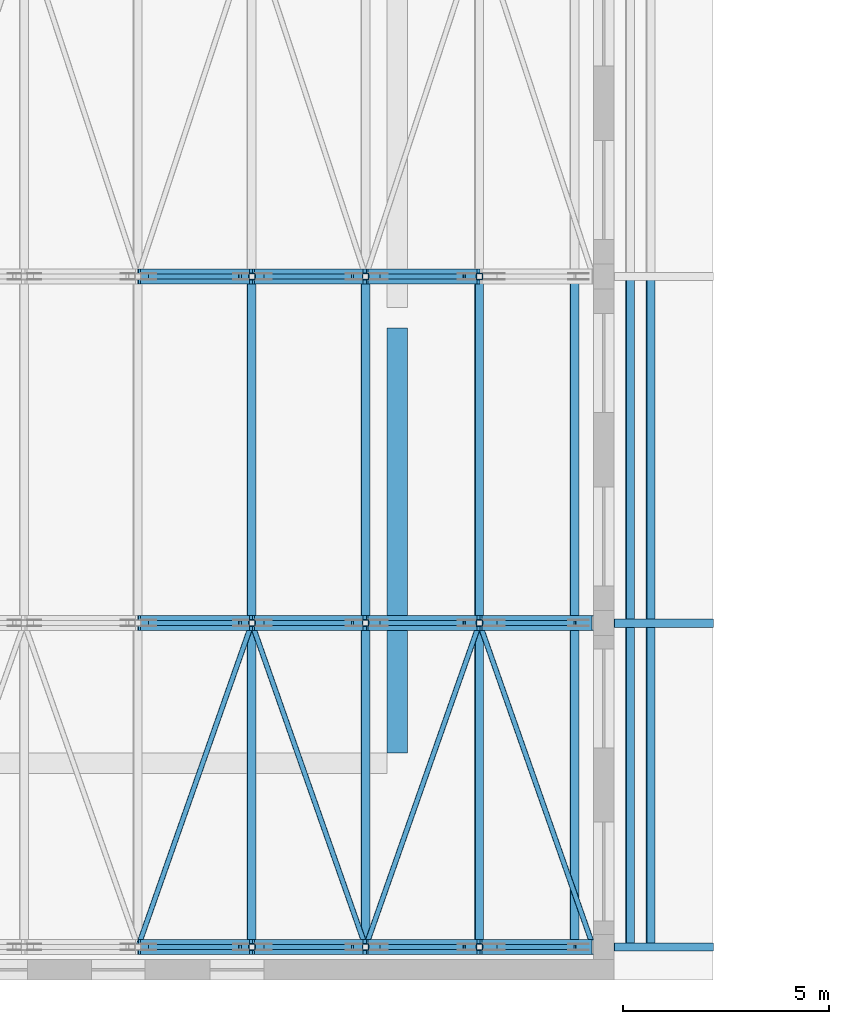
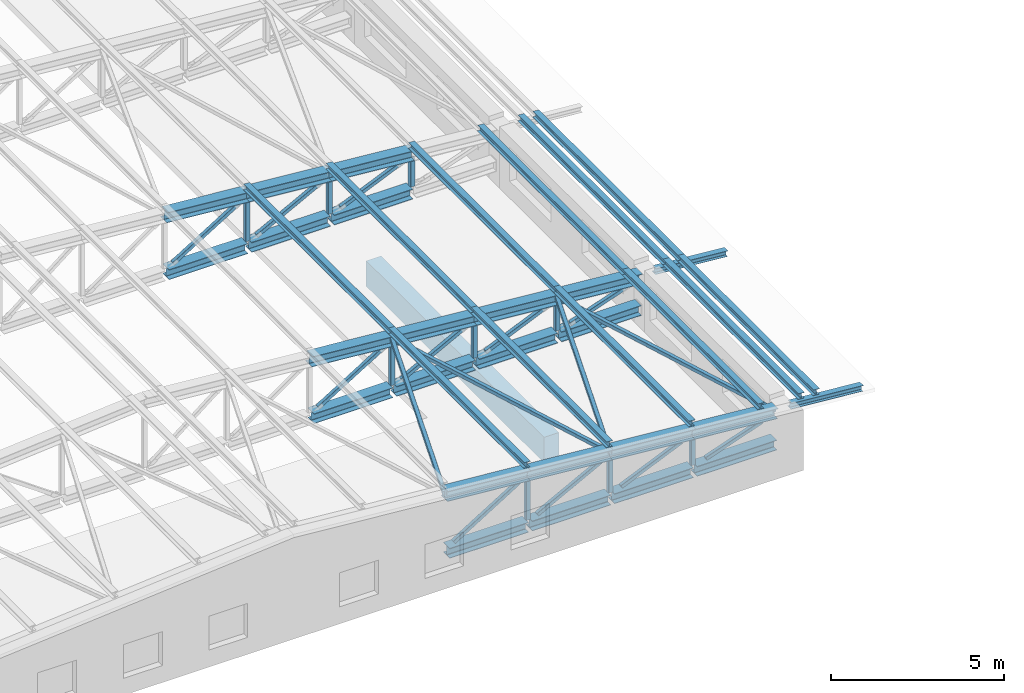
# One storey, part 14 of 60: 60 members, 1 beam.
"""IFC4 building model written with IfcOpenShell, lengths in metres."""

from ifc_helpers import new_model, si_unit, direction, frame, origin, origin_2d, place, context, subcontext, project, spatial, rectangle, hollow_rectangle, i_section, extrude, material, material_profile, profile_set, type_object, element, save


model = new_model("IFC4")

# Units and contexts
model_context = context("Model", 3, precision=1e-05, world=origin(), true_north=direction((0.0, 1.0)))
body_context = subcontext(model_context, "Body", "Model", "MODEL_VIEW")
ifc_project = project(units=[si_unit("LENGTHUNIT", "METRE"), si_unit("AREAUNIT", "SQUARE_METRE"), si_unit("VOLUMEUNIT", "CUBIC_METRE"), si_unit("PLANEANGLEUNIT", "RADIAN"), si_unit("MASSUNIT", "GRAM", prefix="KILO")], contexts=[model_context])

# Site, building, storey
site_placement = place(None, origin())
site = spatial("IfcSite", under=ifc_project, at=site_placement, CompositionType="ELEMENT")
building_placement = place(site_placement, origin())
building = spatial("IfcBuilding", under=site, at=building_placement, Name="Ljudholm Concert House", CompositionType="ELEMENT")
storey_placement = place(building_placement, frame((0.0, 0.0, 15.0)))
storey = spatial("IfcBuildingStorey", under=building, at=storey_placement, Name="L03", CompositionType="ELEMENT", Elevation=15.0)

# Beam
ifc_material_1 = material(Name="Concrete 6,500 psi", Category="concrete")
ifc_material_profile_1 = material_profile(ifc_material_1, rectangle(XDim=0.5, YDim=0.89990234375, at=origin_2d()), Name="RC BEAM 500x900")
ifc_profile_set_1 = profile_set([ifc_material_profile_1], Name="Concrete 6,500 psi")
beam_type = type_object("IfcBeamType", Name="RC BEAM 500x900", PredefinedType="BEAM", material=ifc_profile_set_1)
beam_placement = place(storey_placement, frame((41.0, 9.25, -0.699951171875), z_axis=(0.0, 1.0, 0.0), x_axis=(-1.0, 0.0, 0.0)))
element("IfcBeam", 1, at=beam_placement, inside=storey, type_object=beam_type, Name="Ring beam", PredefinedType="BEAM", context=body_context, shape_type="SweptSolid", body=[
    extrude(rectangle(XDim=0.5, YDim=0.89990234375, at=origin_2d()), origin(), (0.0, 0.0, 1.0), 10.300048828125),
])

# Members
ifc_material_2 = material(Name="Steel ASTM A500 Gr. C", Category="steel")
ifc_material_profile_2 = material_profile(ifc_material_2, hollow_rectangle(XDim=0.126953125, YDim=0.126953125, WallThickness=0.00732421875, InnerFilletRadius=0.003662109375, OuterFilletRadius=0.010986328125, at=origin_2d()), Name="HSS5X5X5/16")
ifc_profile_set_2 = profile_set([ifc_material_profile_2], Name="Steel ASTM A500 Gr. C")
member_type_1 = type_object("IfcMemberType", Name="STEEL MEMBER HSS5X5X5/16 BRACE", PredefinedType="BRACE", material=ifc_profile_set_2)
member_1_placement = place(storey_placement, frame((35.001220703125, 4.550048828125, 0.931884765625), z_axis=(0.850774291755, 0.0, 0.525531259288), x_axis=(0.0, 1.0, 0.0)))
element("IfcMember", 2, at=member_1_placement, inside=storey, type_object=member_type_1, Name="Roof truss T1 diagonal", PredefinedType="BRACE", context=body_context, shape_type="SweptSolid", body=[
    extrude(hollow_rectangle(XDim=0.126953125, YDim=0.126953125, WallThickness=0.00732421875, InnerFilletRadius=0.003662109375, OuterFilletRadius=0.010986328125, at=origin_2d()), origin(), (0.0, 0.0, 1.0), 2.5732421875),
])
member_2_placement = place(storey_placement, frame((37.794189453125, 4.550048828125, 0.93408203125), z_axis=(0.884876217226, 0.0, 0.465826233898), x_axis=(0.0, 1.0, 0.0)))
element("IfcMember", 3, at=member_2_placement, inside=storey, type_object=member_type_1, Name="Roof truss T1 diagonal", PredefinedType="BRACE", context=body_context, shape_type="SweptSolid", body=[
    extrude(hollow_rectangle(XDim=0.126953125, YDim=0.126953125, WallThickness=0.00732421875, InnerFilletRadius=0.003662109375, OuterFilletRadius=0.010986328125, at=origin_2d()), origin(), (0.0, 0.0, 1.0), 2.395751953125),
])
member_3_placement = place(storey_placement, frame((40.60205078125, 4.550048828125, 0.93603515625), z_axis=(0.916751083983, 0.0, 0.399458946597), x_axis=(0.0, 1.0, 0.0)))
element("IfcMember", 4, at=member_3_placement, inside=storey, type_object=member_type_1, Name="Roof truss T1 diagonal", PredefinedType="BRACE", context=body_context, shape_type="SweptSolid", body=[
    extrude(hollow_rectangle(XDim=0.126953125, YDim=0.126953125, WallThickness=0.00732421875, InnerFilletRadius=0.003662109375, OuterFilletRadius=0.010986328125, at=origin_2d()), origin(), (0.0, 0.0, 1.0), 2.20458984375),
])
member_4_placement = place(storey_placement, frame((43.435546875, 4.550048828125, 0.937744140625), z_axis=(0.945096021447, 0.0, 0.326792763453), x_axis=(0.0, 1.0, 0.0)))
element("IfcMember", 5, at=member_4_placement, inside=storey, type_object=member_type_1, Name="Roof truss T1 diagonal", PredefinedType="BRACE", context=body_context, shape_type="SweptSolid", body=[
    extrude(hollow_rectangle(XDim=0.126953125, YDim=0.126953125, WallThickness=0.00732421875, InnerFilletRadius=0.003662109375, OuterFilletRadius=0.010986328125, at=origin_2d()), origin(), (0.0, 0.0, 1.0), 1.97900390625),
])
member_5_placement = place(storey_placement, frame((35.001220703125, 12.39990234375, 0.931884765625), z_axis=(0.850774291755, 0.0, 0.525531259288), x_axis=(0.0, 1.0, 0.0)))
element("IfcMember", 6, at=member_5_placement, inside=storey, type_object=member_type_1, Name="Roof truss T2 diagonal", PredefinedType="BRACE", context=body_context, shape_type="SweptSolid", body=[
    extrude(hollow_rectangle(XDim=0.126953125, YDim=0.126953125, WallThickness=0.00732421875, InnerFilletRadius=0.003662109375, OuterFilletRadius=0.010986328125, at=origin_2d()), origin(), (0.0, 0.0, 1.0), 2.5732421875),
])
member_6_placement = place(storey_placement, frame((37.794189453125, 12.39990234375, 0.93408203125), z_axis=(0.884876217226, 0.0, 0.465826233898), x_axis=(0.0, 1.0, 0.0)))
element("IfcMember", 7, at=member_6_placement, inside=storey, type_object=member_type_1, Name="Roof truss T2 diagonal", PredefinedType="BRACE", context=body_context, shape_type="SweptSolid", body=[
    extrude(hollow_rectangle(XDim=0.126953125, YDim=0.126953125, WallThickness=0.00732421875, InnerFilletRadius=0.003662109375, OuterFilletRadius=0.010986328125, at=origin_2d()), origin(), (0.0, 0.0, 1.0), 2.395751953125),
])
member_7_placement = place(storey_placement, frame((40.60205078125, 12.39990234375, 0.93603515625), z_axis=(0.916751083983, 0.0, 0.399458946597), x_axis=(0.0, 1.0, 0.0)))
element("IfcMember", 8, at=member_7_placement, inside=storey, type_object=member_type_1, Name="Roof truss T2 diagonal", PredefinedType="BRACE", context=body_context, shape_type="SweptSolid", body=[
    extrude(hollow_rectangle(XDim=0.126953125, YDim=0.126953125, WallThickness=0.00732421875, InnerFilletRadius=0.003662109375, OuterFilletRadius=0.010986328125, at=origin_2d()), origin(), (0.0, 0.0, 1.0), 2.20458984375),
])
member_8_placement = place(storey_placement, frame((43.435546875, 12.39990234375, 0.937744140625), z_axis=(0.945096021447, 0.0, 0.326792763453), x_axis=(0.0, 1.0, 0.0)))
element("IfcMember", 9, at=member_8_placement, inside=storey, type_object=member_type_1, Name="Roof truss T2 diagonal", PredefinedType="BRACE", context=body_context, shape_type="SweptSolid", body=[
    extrude(hollow_rectangle(XDim=0.126953125, YDim=0.126953125, WallThickness=0.00732421875, InnerFilletRadius=0.003662109375, OuterFilletRadius=0.010986328125, at=origin_2d()), origin(), (0.0, 0.0, 1.0), 1.97900390625),
])
member_9_placement = place(storey_placement, frame((35.001220703125, 20.800048828125, 0.931884765625), z_axis=(0.850774291755, 0.0, 0.525531259288), x_axis=(0.0, 1.0, 0.0)))
element("IfcMember", 10, at=member_9_placement, inside=storey, type_object=member_type_1, Name="Roof truss T3 diagonal", PredefinedType="BRACE", context=body_context, shape_type="SweptSolid", body=[
    extrude(hollow_rectangle(XDim=0.126953125, YDim=0.126953125, WallThickness=0.00732421875, InnerFilletRadius=0.003662109375, OuterFilletRadius=0.010986328125, at=origin_2d()), origin(), (0.0, 0.0, 1.0), 2.5732421875),
])
member_10_placement = place(storey_placement, frame((37.794189453125, 20.800048828125, 0.93408203125), z_axis=(0.884876217226, 0.0, 0.465826233898), x_axis=(0.0, 1.0, 0.0)))
element("IfcMember", 11, at=member_10_placement, inside=storey, type_object=member_type_1, Name="Roof truss T3 diagonal", PredefinedType="BRACE", context=body_context, shape_type="SweptSolid", body=[
    extrude(hollow_rectangle(XDim=0.126953125, YDim=0.126953125, WallThickness=0.00732421875, InnerFilletRadius=0.003662109375, OuterFilletRadius=0.010986328125, at=origin_2d()), origin(), (0.0, 0.0, 1.0), 2.395751953125),
])
member_11_placement = place(storey_placement, frame((40.60205078125, 20.800048828125, 0.93603515625), z_axis=(0.916751083983, 0.0, 0.399458946597), x_axis=(0.0, 1.0, 0.0)))
element("IfcMember", 12, at=member_11_placement, inside=storey, type_object=member_type_1, Name="Roof truss T3 diagonal", PredefinedType="BRACE", context=body_context, shape_type="SweptSolid", body=[
    extrude(hollow_rectangle(XDim=0.126953125, YDim=0.126953125, WallThickness=0.00732421875, InnerFilletRadius=0.003662109375, OuterFilletRadius=0.010986328125, at=origin_2d()), origin(), (0.0, 0.0, 1.0), 2.20458984375),
])
member_12_placement = place(storey_placement, frame((34.716552734375, 4.5556640625, 2.7333984375), z_axis=(0.331820868413, 0.942924545801, -0.028075117285), x_axis=(-0.943296377948, 0.331951718402, 0.0)))
element("IfcMember", 13, at=member_12_placement, inside=storey, type_object=member_type_1, Name="Roof bracing", PredefinedType="BRACE", context=body_context, shape_type="SweptSolid", body=[
    extrude(hollow_rectangle(XDim=0.126953125, YDim=0.126953125, WallThickness=0.00732421875, InnerFilletRadius=0.003662109375, OuterFilletRadius=0.010986328125, at=origin_2d()), origin(), (0.0, 0.0, 1.0), 8.3134765625),
])
for number, where, z_axis, x_axis, name in (
    (14, (37.47509765625, 12.39453125, 2.5), (0.33179473424, -0.942933734023, -0.02807539086), (0.943305577044, 0.331925576474, 0.0), "Roof bracing"),
    (15, (40.2333984375, 4.5556640625, 2.2666015625), (0.331795007664, 0.942934511072, -0.028046046408), (-0.943305577044, 0.331925576474, 0.0), "Roof bracing"),
    (16, (42.99169921875, 12.39453125, 2.033447265625), (0.33179473424, -0.942933734023, -0.02807539086), (0.943305577044, 0.331925576474, 0.0), "Roof bracing"),
):
    element("IfcMember", number, at=place(storey_placement, frame(where, z_axis=z_axis, x_axis=x_axis)), inside=storey, type_object=member_type_1, Name=name, PredefinedType="BRACE", context=body_context, shape_type="SweptSolid", body=[
        extrude(hollow_rectangle(XDim=0.126953125, YDim=0.126953125, WallThickness=0.00732421875, InnerFilletRadius=0.003662109375, OuterFilletRadius=0.010986328125, at=origin_2d()), origin(), (0.0, 0.0, 1.0), 8.313232421875),
    ])
ifc_material_3 = material(Name="Steel ASTM A500 Gr. C", Category="steel")
ifc_material_profile_3 = material_profile(ifc_material_3, hollow_rectangle(XDim=0.15234375, YDim=0.15234375, WallThickness=0.0087890625, InnerFilletRadius=0.00439453125, OuterFilletRadius=0.01318359375, at=origin_2d()), Name="HSS6X6X3/8")
ifc_profile_set_3 = profile_set([ifc_material_profile_3], Name="Steel ASTM A500 Gr. C")
member_type_2 = type_object("IfcMemberType", Name="STEEL MEMBER HSS6X6X3/8 POST", PredefinedType="POST", material=ifc_profile_set_3)
member_13_placement = place(storey_placement, frame((37.47509765625, 4.550048828125, 0.877685546875), z_axis=(0.0, 0.0, 1.0), x_axis=(1.0, 0.0, 0.0)))
element("IfcMember", 17, at=member_13_placement, inside=storey, type_object=member_type_2, Name="Roof truss T1 post", PredefinedType="POST", context=body_context, shape_type="SweptSolid", body=[
    extrude(hollow_rectangle(XDim=0.15234375, YDim=0.15234375, WallThickness=0.0087890625, InnerFilletRadius=0.00439453125, OuterFilletRadius=0.01318359375, at=origin_2d()), origin(), (0.0, 0.0, 1.0), 1.44384765625),
])
member_14_placement = place(storey_placement, frame((40.2333984375, 4.550048828125, 0.877685546875), z_axis=(0.0, 0.0, 1.0), x_axis=(1.0, 0.0, 0.0)))
element("IfcMember", 18, at=member_14_placement, inside=storey, type_object=member_type_2, Name="Roof truss T1 post", PredefinedType="POST", context=body_context, shape_type="SweptSolid", body=[
    extrude(hollow_rectangle(XDim=0.15234375, YDim=0.15234375, WallThickness=0.0087890625, InnerFilletRadius=0.00439453125, OuterFilletRadius=0.01318359375, at=origin_2d()), origin(), (0.0, 0.0, 1.0), 1.21044921875),
])
member_15_placement = place(storey_placement, frame((42.99169921875, 4.550048828125, 0.877685546875), z_axis=(0.0, 0.0, 1.0), x_axis=(1.0, 0.0, 0.0)))
element("IfcMember", 19, at=member_15_placement, inside=storey, type_object=member_type_2, Name="Roof truss T1 post", PredefinedType="POST", context=body_context, shape_type="SweptSolid", body=[
    extrude(hollow_rectangle(XDim=0.15234375, YDim=0.15234375, WallThickness=0.0087890625, InnerFilletRadius=0.00439453125, OuterFilletRadius=0.01318359375, at=origin_2d()), origin(), (0.0, 0.0, 1.0), 0.977294921875),
])
member_16_placement = place(storey_placement, frame((37.47509765625, 12.39990234375, 0.877685546875), z_axis=(0.0, 0.0, 1.0), x_axis=(1.0, 0.0, 0.0)))
element("IfcMember", 20, at=member_16_placement, inside=storey, type_object=member_type_2, Name="Roof truss T2 post", PredefinedType="POST", context=body_context, shape_type="SweptSolid", body=[
    extrude(hollow_rectangle(XDim=0.15234375, YDim=0.15234375, WallThickness=0.0087890625, InnerFilletRadius=0.00439453125, OuterFilletRadius=0.01318359375, at=origin_2d()), origin(), (0.0, 0.0, 1.0), 1.44384765625),
])
member_17_placement = place(storey_placement, frame((40.2333984375, 12.39990234375, 0.877685546875), z_axis=(0.0, 0.0, 1.0), x_axis=(1.0, 0.0, 0.0)))
element("IfcMember", 21, at=member_17_placement, inside=storey, type_object=member_type_2, Name="Roof truss T2 post", PredefinedType="POST", context=body_context, shape_type="SweptSolid", body=[
    extrude(hollow_rectangle(XDim=0.15234375, YDim=0.15234375, WallThickness=0.0087890625, InnerFilletRadius=0.00439453125, OuterFilletRadius=0.01318359375, at=origin_2d()), origin(), (0.0, 0.0, 1.0), 1.21044921875),
])
member_18_placement = place(storey_placement, frame((42.99169921875, 12.39990234375, 0.877685546875), z_axis=(0.0, 0.0, 1.0), x_axis=(1.0, 0.0, 0.0)))
element("IfcMember", 22, at=member_18_placement, inside=storey, type_object=member_type_2, Name="Roof truss T2 post", PredefinedType="POST", context=body_context, shape_type="SweptSolid", body=[
    extrude(hollow_rectangle(XDim=0.15234375, YDim=0.15234375, WallThickness=0.0087890625, InnerFilletRadius=0.00439453125, OuterFilletRadius=0.01318359375, at=origin_2d()), origin(), (0.0, 0.0, 1.0), 0.977294921875),
])
member_19_placement = place(storey_placement, frame((37.47509765625, 20.800048828125, 0.877685546875), z_axis=(0.0, 0.0, 1.0), x_axis=(1.0, 0.0, 0.0)))
element("IfcMember", 23, at=member_19_placement, inside=storey, type_object=member_type_2, Name="Roof truss T3 post", PredefinedType="POST", context=body_context, shape_type="SweptSolid", body=[
    extrude(hollow_rectangle(XDim=0.15234375, YDim=0.15234375, WallThickness=0.0087890625, InnerFilletRadius=0.00439453125, OuterFilletRadius=0.01318359375, at=origin_2d()), origin(), (0.0, 0.0, 1.0), 1.44384765625),
])
member_20_placement = place(storey_placement, frame((40.2333984375, 20.800048828125, 0.877685546875), z_axis=(0.0, 0.0, 1.0), x_axis=(1.0, 0.0, 0.0)))
element("IfcMember", 24, at=member_20_placement, inside=storey, type_object=member_type_2, Name="Roof truss T3 post", PredefinedType="POST", context=body_context, shape_type="SweptSolid", body=[
    extrude(hollow_rectangle(XDim=0.15234375, YDim=0.15234375, WallThickness=0.0087890625, InnerFilletRadius=0.00439453125, OuterFilletRadius=0.01318359375, at=origin_2d()), origin(), (0.0, 0.0, 1.0), 1.21044921875),
])
member_21_placement = place(storey_placement, frame((42.99169921875, 20.800048828125, 0.877685546875), z_axis=(0.0, 0.0, 1.0), x_axis=(1.0, 0.0, 0.0)))
element("IfcMember", 25, at=member_21_placement, inside=storey, type_object=member_type_2, Name="Roof truss T3 post", PredefinedType="POST", context=body_context, shape_type="SweptSolid", body=[
    extrude(hollow_rectangle(XDim=0.15234375, YDim=0.15234375, WallThickness=0.0087890625, InnerFilletRadius=0.00439453125, OuterFilletRadius=0.01318359375, at=origin_2d()), origin(), (0.0, 0.0, 1.0), 0.977294921875),
])
ifc_material_4 = material(Name="Steel ASTM A992", Category="steel")
ifc_material_profile_4 = material_profile(ifc_material_4, i_section(OverallWidth=0.368408203125, OverallDepth=0.355712890625, WebThickness=0.01123046875, FlangeThickness=0.01806640625, FilletRadius=0.01513671875, at=origin_2d()), Name="W14X90")
ifc_profile_set_4 = profile_set([ifc_material_profile_4], Name="Steel ASTM A992")
member_type_3 = type_object("IfcMemberType", Name="STEEL MEMBER W14X90 CHORD", PredefinedType="CHORD", material=ifc_profile_set_4)
member_22_placement = place(storey_placement, frame((34.716552734375, 4.550048828125, 2.7333984375), z_axis=(0.996439740606, 0.0, -0.084308026553), x_axis=(0.0, 1.0, 0.0)))
element("IfcMember", 26, at=member_22_placement, inside=storey, type_object=member_type_3, Name="Roof truss T1 top chord", PredefinedType="CHORD", context=body_context, shape_type="SweptSolid", body=[
    extrude(i_section(OverallWidth=0.368408203125, OverallDepth=0.355712890625, WebThickness=0.01123046875, FlangeThickness=0.01806640625, FilletRadius=0.01513671875, at=origin_2d()), origin(), (0.0, 0.0, 1.0), 2.768310546875),
])
member_23_placement = place(storey_placement, frame((34.778564453125, 4.550048828125, 0.699951171875), z_axis=(1.0, 0.0, 0.0), x_axis=(0.0, 1.0, 0.0)))
element("IfcMember", 27, at=member_23_placement, inside=storey, type_object=member_type_3, Name="Roof truss T1 bottom chord", PredefinedType="CHORD", context=body_context, shape_type="SweptSolid", body=[
    extrude(i_section(OverallWidth=0.368408203125, OverallDepth=0.355712890625, WebThickness=0.01123046875, FlangeThickness=0.01806640625, FilletRadius=0.01513671875, at=origin_2d()), origin(), (0.0, 0.0, 1.0), 2.634521484375),
])
member_24_placement = place(storey_placement, frame((37.47509765625, 4.550048828125, 2.5), z_axis=(0.996439113695, 0.0, -0.084315435714), x_axis=(0.0, 1.0, 0.0)))
element("IfcMember", 28, at=member_24_placement, inside=storey, type_object=member_type_3, Name="Roof truss T1 top chord", PredefinedType="CHORD", context=body_context, shape_type="SweptSolid", body=[
    extrude(i_section(OverallWidth=0.368408203125, OverallDepth=0.355712890625, WebThickness=0.01123046875, FlangeThickness=0.01806640625, FilletRadius=0.01513671875, at=origin_2d()), origin(), (0.0, 0.0, 1.0), 2.76806640625),
])
member_25_placement = place(storey_placement, frame((37.537109375, 4.550048828125, 0.699951171875), z_axis=(1.0, 0.0, 0.0), x_axis=(0.0, 1.0, 0.0)))
element("IfcMember", 29, at=member_25_placement, inside=storey, type_object=member_type_3, Name="Roof truss T1 bottom chord", PredefinedType="CHORD", context=body_context, shape_type="SweptSolid", body=[
    extrude(i_section(OverallWidth=0.368408203125, OverallDepth=0.355712890625, WebThickness=0.01123046875, FlangeThickness=0.01806640625, FilletRadius=0.01513671875, at=origin_2d()), origin(), (0.0, 0.0, 1.0), 2.63427734375),
])
member_26_placement = place(storey_placement, frame((40.2333984375, 4.550048828125, 2.2666015625), z_axis=(0.996446519711, 0.0, -0.084227865669), x_axis=(0.0, 1.0, 0.0)))
element("IfcMember", 30, at=member_26_placement, inside=storey, type_object=member_type_3, Name="Roof truss T1 top chord", PredefinedType="CHORD", context=body_context, shape_type="SweptSolid", body=[
    extrude(i_section(OverallWidth=0.368408203125, OverallDepth=0.355712890625, WebThickness=0.01123046875, FlangeThickness=0.01806640625, FilletRadius=0.01513671875, at=origin_2d()), origin(), (0.0, 0.0, 1.0), 2.76806640625),
])
member_27_placement = place(storey_placement, frame((40.29541015625, 4.550048828125, 0.699951171875), z_axis=(1.0, 0.0, 0.0), x_axis=(0.0, 1.0, 0.0)))
element("IfcMember", 31, at=member_27_placement, inside=storey, type_object=member_type_3, Name="Roof truss T1 bottom chord", PredefinedType="CHORD", context=body_context, shape_type="SweptSolid", body=[
    extrude(i_section(OverallWidth=0.368408203125, OverallDepth=0.355712890625, WebThickness=0.01123046875, FlangeThickness=0.01806640625, FilletRadius=0.01513671875, at=origin_2d()), origin(), (0.0, 0.0, 1.0), 2.63427734375),
])
member_28_placement = place(storey_placement, frame((42.99169921875, 4.550048828125, 2.033447265625), z_axis=(0.996439113695, 0.0, -0.084315435714), x_axis=(0.0, 1.0, 0.0)))
element("IfcMember", 32, at=member_28_placement, inside=storey, type_object=member_type_3, Name="Roof truss T1 top chord", PredefinedType="CHORD", context=body_context, shape_type="SweptSolid", body=[
    extrude(i_section(OverallWidth=0.368408203125, OverallDepth=0.355712890625, WebThickness=0.01123046875, FlangeThickness=0.01806640625, FilletRadius=0.01513671875, at=origin_2d()), origin(), (0.0, 0.0, 1.0), 2.76806640625),
])
member_29_placement = place(storey_placement, frame((43.0537109375, 4.550048828125, 0.699951171875), z_axis=(1.0, 0.0, 0.0), x_axis=(0.0, 1.0, 0.0)))
element("IfcMember", 33, at=member_29_placement, inside=storey, type_object=member_type_3, Name="Roof truss T1 bottom chord", PredefinedType="CHORD", context=body_context, shape_type="SweptSolid", body=[
    extrude(i_section(OverallWidth=0.368408203125, OverallDepth=0.355712890625, WebThickness=0.01123046875, FlangeThickness=0.01806640625, FilletRadius=0.01513671875, at=origin_2d()), origin(), (0.0, 0.0, 1.0), 2.666259765625),
])
member_30_placement = place(storey_placement, frame((34.716552734375, 12.39990234375, 2.7333984375), z_axis=(0.996439740606, 0.0, -0.084308026553), x_axis=(0.0, 1.0, 0.0)))
element("IfcMember", 34, at=member_30_placement, inside=storey, type_object=member_type_3, Name="Roof truss T2 top chord", PredefinedType="CHORD", context=body_context, shape_type="SweptSolid", body=[
    extrude(i_section(OverallWidth=0.368408203125, OverallDepth=0.355712890625, WebThickness=0.01123046875, FlangeThickness=0.01806640625, FilletRadius=0.01513671875, at=origin_2d()), origin(), (0.0, 0.0, 1.0), 2.768310546875),
])
member_31_placement = place(storey_placement, frame((34.778564453125, 12.39990234375, 0.699951171875), z_axis=(1.0, 0.0, 0.0), x_axis=(0.0, 1.0, 0.0)))
element("IfcMember", 35, at=member_31_placement, inside=storey, type_object=member_type_3, Name="Roof truss T2 bottom chord", PredefinedType="CHORD", context=body_context, shape_type="SweptSolid", body=[
    extrude(i_section(OverallWidth=0.368408203125, OverallDepth=0.355712890625, WebThickness=0.01123046875, FlangeThickness=0.01806640625, FilletRadius=0.01513671875, at=origin_2d()), origin(), (0.0, 0.0, 1.0), 2.634521484375),
])
member_32_placement = place(storey_placement, frame((37.47509765625, 12.39990234375, 2.5), z_axis=(0.996439113695, 0.0, -0.084315435714), x_axis=(0.0, 1.0, 0.0)))
element("IfcMember", 36, at=member_32_placement, inside=storey, type_object=member_type_3, Name="Roof truss T2 top chord", PredefinedType="CHORD", context=body_context, shape_type="SweptSolid", body=[
    extrude(i_section(OverallWidth=0.368408203125, OverallDepth=0.355712890625, WebThickness=0.01123046875, FlangeThickness=0.01806640625, FilletRadius=0.01513671875, at=origin_2d()), origin(), (0.0, 0.0, 1.0), 2.76806640625),
])
member_33_placement = place(storey_placement, frame((37.537109375, 12.39990234375, 0.699951171875), z_axis=(1.0, 0.0, 0.0), x_axis=(0.0, 1.0, 0.0)))
element("IfcMember", 37, at=member_33_placement, inside=storey, type_object=member_type_3, Name="Roof truss T2 bottom chord", PredefinedType="CHORD", context=body_context, shape_type="SweptSolid", body=[
    extrude(i_section(OverallWidth=0.368408203125, OverallDepth=0.355712890625, WebThickness=0.01123046875, FlangeThickness=0.01806640625, FilletRadius=0.01513671875, at=origin_2d()), origin(), (0.0, 0.0, 1.0), 2.63427734375),
])
member_34_placement = place(storey_placement, frame((40.2333984375, 12.39990234375, 2.2666015625), z_axis=(0.996446519711, 0.0, -0.084227865669), x_axis=(0.0, 1.0, 0.0)))
element("IfcMember", 38, at=member_34_placement, inside=storey, type_object=member_type_3, Name="Roof truss T2 top chord", PredefinedType="CHORD", context=body_context, shape_type="SweptSolid", body=[
    extrude(i_section(OverallWidth=0.368408203125, OverallDepth=0.355712890625, WebThickness=0.01123046875, FlangeThickness=0.01806640625, FilletRadius=0.01513671875, at=origin_2d()), origin(), (0.0, 0.0, 1.0), 2.76806640625),
])
member_35_placement = place(storey_placement, frame((40.29541015625, 12.39990234375, 0.699951171875), z_axis=(1.0, 0.0, 0.0), x_axis=(0.0, 1.0, 0.0)))
element("IfcMember", 39, at=member_35_placement, inside=storey, type_object=member_type_3, Name="Roof truss T2 bottom chord", PredefinedType="CHORD", context=body_context, shape_type="SweptSolid", body=[
    extrude(i_section(OverallWidth=0.368408203125, OverallDepth=0.355712890625, WebThickness=0.01123046875, FlangeThickness=0.01806640625, FilletRadius=0.01513671875, at=origin_2d()), origin(), (0.0, 0.0, 1.0), 2.63427734375),
])
member_36_placement = place(storey_placement, frame((42.99169921875, 12.39990234375, 2.033447265625), z_axis=(0.996439113695, 0.0, -0.084315435714), x_axis=(0.0, 1.0, 0.0)))
element("IfcMember", 40, at=member_36_placement, inside=storey, type_object=member_type_3, Name="Roof truss T2 top chord", PredefinedType="CHORD", context=body_context, shape_type="SweptSolid", body=[
    extrude(i_section(OverallWidth=0.368408203125, OverallDepth=0.355712890625, WebThickness=0.01123046875, FlangeThickness=0.01806640625, FilletRadius=0.01513671875, at=origin_2d()), origin(), (0.0, 0.0, 1.0), 2.76806640625),
])
member_37_placement = place(storey_placement, frame((43.0537109375, 12.39990234375, 0.699951171875), z_axis=(1.0, 0.0, 0.0), x_axis=(0.0, 1.0, 0.0)))
element("IfcMember", 41, at=member_37_placement, inside=storey, type_object=member_type_3, Name="Roof truss T2 bottom chord", PredefinedType="CHORD", context=body_context, shape_type="SweptSolid", body=[
    extrude(i_section(OverallWidth=0.368408203125, OverallDepth=0.355712890625, WebThickness=0.01123046875, FlangeThickness=0.01806640625, FilletRadius=0.01513671875, at=origin_2d()), origin(), (0.0, 0.0, 1.0), 2.666259765625),
])
member_38_placement = place(storey_placement, frame((34.716552734375, 20.800048828125, 2.7333984375), z_axis=(0.996439740606, 0.0, -0.084308026553), x_axis=(0.0, 1.0, 0.0)))
element("IfcMember", 42, at=member_38_placement, inside=storey, type_object=member_type_3, Name="Roof truss T3 top chord", PredefinedType="CHORD", context=body_context, shape_type="SweptSolid", body=[
    extrude(i_section(OverallWidth=0.368408203125, OverallDepth=0.355712890625, WebThickness=0.01123046875, FlangeThickness=0.01806640625, FilletRadius=0.01513671875, at=origin_2d()), origin(), (0.0, 0.0, 1.0), 2.768310546875),
])
member_39_placement = place(storey_placement, frame((34.778564453125, 20.800048828125, 0.699951171875), z_axis=(1.0, 0.0, 0.0), x_axis=(0.0, 1.0, 0.0)))
element("IfcMember", 43, at=member_39_placement, inside=storey, type_object=member_type_3, Name="Roof truss T3 bottom chord", PredefinedType="CHORD", context=body_context, shape_type="SweptSolid", body=[
    extrude(i_section(OverallWidth=0.368408203125, OverallDepth=0.355712890625, WebThickness=0.01123046875, FlangeThickness=0.01806640625, FilletRadius=0.01513671875, at=origin_2d()), origin(), (0.0, 0.0, 1.0), 2.634521484375),
])
member_40_placement = place(storey_placement, frame((37.47509765625, 20.800048828125, 2.5), z_axis=(0.996439113695, 0.0, -0.084315435714), x_axis=(0.0, 1.0, 0.0)))
element("IfcMember", 44, at=member_40_placement, inside=storey, type_object=member_type_3, Name="Roof truss T3 top chord", PredefinedType="CHORD", context=body_context, shape_type="SweptSolid", body=[
    extrude(i_section(OverallWidth=0.368408203125, OverallDepth=0.355712890625, WebThickness=0.01123046875, FlangeThickness=0.01806640625, FilletRadius=0.01513671875, at=origin_2d()), origin(), (0.0, 0.0, 1.0), 2.76806640625),
])
member_41_placement = place(storey_placement, frame((37.537109375, 20.800048828125, 0.699951171875), z_axis=(1.0, 0.0, 0.0), x_axis=(0.0, 1.0, 0.0)))
element("IfcMember", 45, at=member_41_placement, inside=storey, type_object=member_type_3, Name="Roof truss T3 bottom chord", PredefinedType="CHORD", context=body_context, shape_type="SweptSolid", body=[
    extrude(i_section(OverallWidth=0.368408203125, OverallDepth=0.355712890625, WebThickness=0.01123046875, FlangeThickness=0.01806640625, FilletRadius=0.01513671875, at=origin_2d()), origin(), (0.0, 0.0, 1.0), 2.63427734375),
])
member_42_placement = place(storey_placement, frame((40.2333984375, 20.800048828125, 2.2666015625), z_axis=(0.996446519711, 0.0, -0.084227865669), x_axis=(0.0, 1.0, 0.0)))
element("IfcMember", 46, at=member_42_placement, inside=storey, type_object=member_type_3, Name="Roof truss T3 top chord", PredefinedType="CHORD", context=body_context, shape_type="SweptSolid", body=[
    extrude(i_section(OverallWidth=0.368408203125, OverallDepth=0.355712890625, WebThickness=0.01123046875, FlangeThickness=0.01806640625, FilletRadius=0.01513671875, at=origin_2d()), origin(), (0.0, 0.0, 1.0), 2.76806640625),
])
member_43_placement = place(storey_placement, frame((40.29541015625, 20.800048828125, 0.699951171875), z_axis=(1.0, 0.0, 0.0), x_axis=(0.0, 1.0, 0.0)))
element("IfcMember", 47, at=member_43_placement, inside=storey, type_object=member_type_3, Name="Roof truss T3 bottom chord", PredefinedType="CHORD", context=body_context, shape_type="SweptSolid", body=[
    extrude(i_section(OverallWidth=0.368408203125, OverallDepth=0.355712890625, WebThickness=0.01123046875, FlangeThickness=0.01806640625, FilletRadius=0.01513671875, at=origin_2d()), origin(), (0.0, 0.0, 1.0), 2.63427734375),
])
ifc_material_5 = material(Name="Steel ASTM A992", Category="steel")
ifc_material_profile_5 = material_profile(ifc_material_5, i_section(OverallWidth=0.203125, OverallDepth=0.203125, WebThickness=0.00732421875, FlangeThickness=0.010986328125, FilletRadius=0.010009765625, at=origin_2d()), Name="W8X31")
ifc_profile_set_5 = profile_set([ifc_material_profile_5], Name="Steel ASTM A992")
member_type_4 = type_object("IfcMemberType", Name="STEEL MEMBER W8X31 PURLIN", PredefinedType="PURLIN", material=ifc_profile_set_5)
for number, where, z_axis, x_axis, name in (
    (48, (45.29150390625, 4.550048828125, 2.119140625), (0.0, 1.0, 0.0), (-0.996441172925, 0.0, 0.084291096202), "Purlin"),
    (49, (42.983154296875, 4.550048828125, 2.314453125), (0.0, 1.0, 0.0), (-0.996441172925, 0.0, 0.084291096202), "Purlin"),
    (50, (40.224853515625, 4.550048828125, 2.5478515625), (0.0, 1.0, 0.0), (-0.996441172925, 0.0, 0.084291096202), "Purlin"),
    (51, (37.466552734375, 4.550048828125, 2.781005859375), (0.0, 1.0, 0.0), (-0.996441172925, 0.0, 0.084291096202), "Purlin"),
):
    element("IfcMember", number, at=place(storey_placement, frame(where, z_axis=z_axis, x_axis=x_axis)), inside=storey, type_object=member_type_4, Name=name, PredefinedType="PURLIN", context=body_context, shape_type="SweptSolid", body=[
        extrude(i_section(OverallWidth=0.203125, OverallDepth=0.203125, WebThickness=0.00732421875, FlangeThickness=0.010986328125, FilletRadius=0.010009765625, at=origin_2d()), origin(), (0.0, 0.0, 1.0), 7.849853515625),
    ])
for number, where, z_axis, x_axis, name in (
    (52, (45.29150390625, 12.39990234375, 2.119140625), (0.0, 1.0, 0.0), (-0.996441172925, 0.0, 0.084291096202), "Purlin"),
    (53, (42.983154296875, 12.39990234375, 2.314453125), (0.0, 1.0, 0.0), (-0.996441172925, 0.0, 0.084291096202), "Purlin"),
    (54, (40.224853515625, 12.39990234375, 2.5478515625), (0.0, 1.0, 0.0), (-0.996441172925, 0.0, 0.084291096202), "Purlin"),
    (55, (37.466552734375, 12.39990234375, 2.781005859375), (0.0, 1.0, 0.0), (-0.996441172925, 0.0, 0.084291096202), "Purlin"),
):
    element("IfcMember", number, at=place(storey_placement, frame(where, z_axis=z_axis, x_axis=x_axis)), inside=storey, type_object=member_type_4, Name=name, PredefinedType="PURLIN", context=body_context, shape_type="SweptSolid", body=[
        extrude(i_section(OverallWidth=0.203125, OverallDepth=0.203125, WebThickness=0.00732421875, FlangeThickness=0.010986328125, FilletRadius=0.010009765625, at=origin_2d()), origin(), (0.0, 0.0, 1.0), 8.400146484375),
    ])
for number, where, z_axis, x_axis, name in (
    (56, (46.641357421875, 4.550048828125, 2.0048828125), (0.0, 1.0, 0.0), (-0.996441172925, 0.0, 0.084291096202), "Purlin"),
    (57, (47.141357421875, 4.550048828125, 1.962646484375), (0.0, 1.0, 0.0), (-0.996441172925, 0.0, 0.084291096202), "Purlin"),
):
    element("IfcMember", number, at=place(storey_placement, frame(where, z_axis=z_axis, x_axis=x_axis)), inside=storey, type_object=member_type_4, Name=name, PredefinedType="PURLIN", context=body_context, shape_type="SweptSolid", body=[
        extrude(i_section(OverallWidth=0.203125, OverallDepth=0.203125, WebThickness=0.00732421875, FlangeThickness=0.010986328125, FilletRadius=0.010009765625, at=origin_2d()), origin(), (0.0, 0.0, 1.0), 7.849853515625),
    ])
for number, where, z_axis, x_axis, name in (
    (58, (46.641357421875, 12.39990234375, 2.0048828125), (0.0, 1.0, 0.0), (-0.996441172925, 0.0, 0.084291096202), "Purlin"),
    (59, (47.141357421875, 12.39990234375, 1.962646484375), (0.0, 1.0, 0.0), (-0.996441172925, 0.0, 0.084291096202), "Purlin"),
):
    element("IfcMember", number, at=place(storey_placement, frame(where, z_axis=z_axis, x_axis=x_axis)), inside=storey, type_object=member_type_4, Name=name, PredefinedType="PURLIN", context=body_context, shape_type="SweptSolid", body=[
        extrude(i_section(OverallWidth=0.203125, OverallDepth=0.203125, WebThickness=0.00732421875, FlangeThickness=0.010986328125, FilletRadius=0.010009765625, at=origin_2d()), origin(), (0.0, 0.0, 1.0), 8.400146484375),
    ])
ifc_material_6 = material(Name="Steel ASTM A992", Category="steel")
ifc_material_profile_6 = material_profile(ifc_material_6, i_section(OverallWidth=0.203125, OverallDepth=0.203125, WebThickness=0.00732421875, FlangeThickness=0.010986328125, FilletRadius=0.010009765625, at=origin_2d()), Name="W8X31")
ifc_profile_set_6 = profile_set([ifc_material_profile_6], Name="Steel ASTM A992")
member_type_5 = type_object("IfcMemberType", Name="STEEL MEMBER W8X31 RAFTER", PredefinedType="RAFTER", material=ifc_profile_set_6)
for number, where, z_axis, x_axis, name in (
    (60, (46.25, 4.550048828125, 1.834228515625), (0.996437262136, 0.0, -0.084337314557), (0.0, 1.0, 0.0), "Eave rafter tail"),
    (61, (46.25, 12.39990234375, 1.834228515625), (0.996437262136, 0.0, -0.084337314557), (0.0, 1.0, 0.0), "Eave rafter tail"),
):
    element("IfcMember", number, at=place(storey_placement, frame(where, z_axis=z_axis, x_axis=x_axis)), inside=storey, type_object=member_type_5, Name=name, PredefinedType="RAFTER", context=body_context, shape_type="SweptSolid", body=[
        extrude(i_section(OverallWidth=0.203125, OverallDepth=0.203125, WebThickness=0.00732421875, FlangeThickness=0.010986328125, FilletRadius=0.010009765625, at=origin_2d()), origin(), (0.0, 0.0, 1.0), 2.408447265625),
    ])

save(model, "model.ifc")
